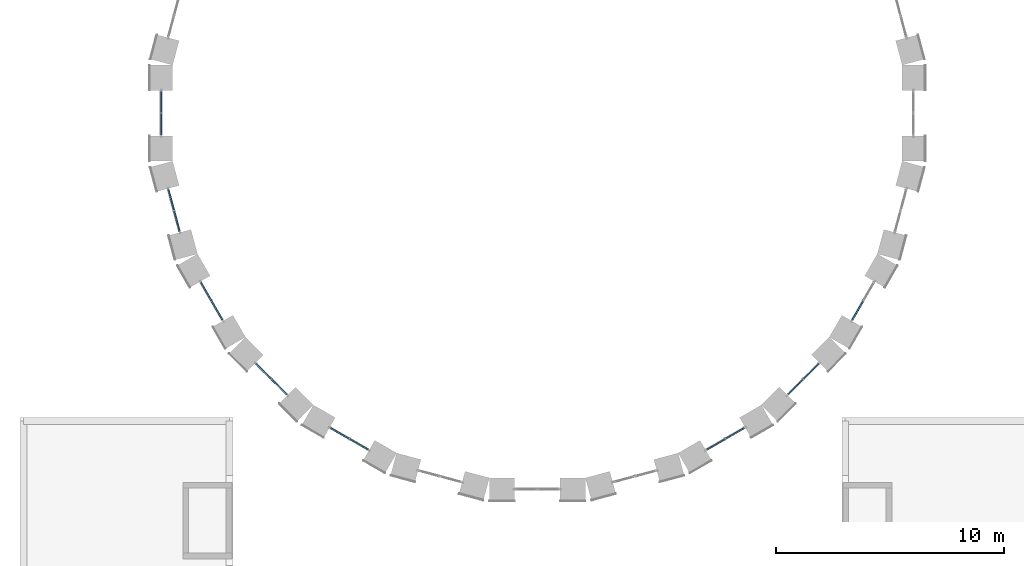
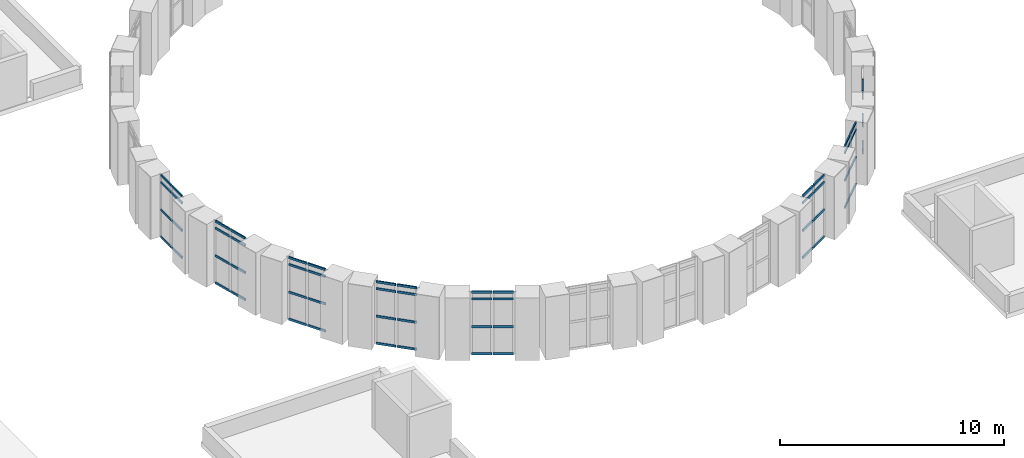
# One storey, part 15 of 42: 60 members, 8 elements without a shape of their own.
"""IFC4 building model written with IfcOpenShell, lengths in metres."""

from ifc_helpers import new_model, si_unit, direction, frame, origin, origin_2d, place, context, subcontext, project, spatial, rectangle, extrude, material, layer, layer_set, material_profile, profile_set, type_object, element, aggregate, save


model = new_model("IFC4")

# Units and contexts
model_context = context("Model", 3, precision=1e-05, world=origin(), true_north=direction((0.0, 1.0)))
body_context = subcontext(model_context, "Body", "Model", "MODEL_VIEW")
ifc_project = project(units=[si_unit("LENGTHUNIT", "METRE"), si_unit("AREAUNIT", "SQUARE_METRE"), si_unit("VOLUMEUNIT", "CUBIC_METRE"), si_unit("PLANEANGLEUNIT", "RADIAN"), si_unit("MASSUNIT", "GRAM", prefix="KILO")], contexts=[model_context])

# Site, building, storey
site_placement = place(None, origin())
site = spatial("IfcSite", under=ifc_project, at=site_placement, CompositionType="ELEMENT")
building_placement = place(site_placement, origin())
building = spatial("IfcBuilding", under=site, at=building_placement, Name="Golden Quay Civic Hall", CompositionType="ELEMENT")
storey_placement = place(building_placement, frame((0.0, 0.0, 22.800048828125)))
storey = spatial("IfcBuildingStorey", under=building, at=storey_placement, Name="L05", CompositionType="ELEMENT", Elevation=22.800048828125)

# Curtain wall, members
ifc_material_1 = material(Name="Glass, laminated double glazed", Category="glass")
ifc_layer = layer(ifc_material_1, 0.199951171875)
ifc_layer_set = layer_set([ifc_layer], Name="Glazed drum clerestory curtain wall")
curtain_wall_type = type_object("IfcCurtainWallType", Name="Glazed drum clerestory curtain wall", PredefinedType="NOTDEFINED", material=ifc_layer_set)
curtain_wall_1_placement = place(storey_placement, origin())
curtain_wall_1 = element("IfcCurtainWall", 1, at=curtain_wall_1_placement, inside=storey, type_object=curtain_wall_type, Name="Clerestory curtain wall 12", PredefinedType="NOTDEFINED")
ifc_material_2 = material(Name="Aluminium, anodised", Category="aluminium")
ifc_material_profile = material_profile(ifc_material_2, rectangle(XDim=0.06005859375, YDim=0.1201171875, at=origin_2d()), Name="Aluminium 60 x 120")
ifc_profile_set = profile_set([ifc_material_profile], Name="Aluminium, anodised")
member_type = type_object("IfcMemberType", Name="Aluminium transom 60 x 120", PredefinedType="USERDEFINED", material=ifc_profile_set)
member_1_placement = place(storey_placement, frame((69.0, 86.43994140625, 0.329833984375), z_axis=(0.0, -1.0, 0.0), x_axis=(1.0, 0.0, 0.0)))
member_1 = element("IfcMember", 2, at=member_1_placement, type_object=member_type, Name="CW5 transom 1.1", ObjectType="TRANSOM", PredefinedType="USERDEFINED", context=body_context, shape_type="SweptSolid", body=[
    extrude(rectangle(XDim=0.06005859375, YDim=0.1201171875, at=origin_2d()), origin(), (0.0, 0.0, 1.0), 0.909912109375),
])
member_2_placement = place(storey_placement, frame((69.0, 86.43994140625, 1.800048828125), z_axis=(0.0, -1.0, 0.0), x_axis=(1.0, 0.0, 0.0)))
member_2 = element("IfcMember", 3, at=member_2_placement, type_object=member_type, Name="CW5 transom 1.2", ObjectType="TRANSOM", PredefinedType="USERDEFINED", context=body_context, shape_type="SweptSolid", body=[
    extrude(rectangle(XDim=0.06005859375, YDim=0.1201171875, at=origin_2d()), origin(), (0.0, 0.0, 1.0), 0.909912109375),
])
member_3_placement = place(storey_placement, frame((69.0, 86.43994140625, 3.300048828125), z_axis=(0.0, -1.0, 0.0), x_axis=(1.0, 0.0, 0.0)))
member_3 = element("IfcMember", 4, at=member_3_placement, type_object=member_type, Name="CW5 transom 1.3", ObjectType="TRANSOM", PredefinedType="USERDEFINED", context=body_context, shape_type="SweptSolid", body=[
    extrude(rectangle(XDim=0.06005859375, YDim=0.1201171875, at=origin_2d()), origin(), (0.0, 0.0, 1.0), 0.909912109375),
])
member_4_placement = place(storey_placement, frame((69.0, 86.43994140625, 3.669921875), z_axis=(0.0, -1.0, 0.0), x_axis=(1.0, 0.0, 0.0)))
member_4 = element("IfcMember", 5, at=member_4_placement, type_object=member_type, Name="CW5 transom 1.4", ObjectType="TRANSOM", PredefinedType="USERDEFINED", context=body_context, shape_type="SweptSolid", body=[
    extrude(rectangle(XDim=0.06005859375, YDim=0.1201171875, at=origin_2d()), origin(), (0.0, 0.0, 1.0), 0.909912109375),
])
member_5_placement = place(storey_placement, frame((69.0, 85.469970703125, 0.329833984375), z_axis=(0.0, -1.0, 0.0), x_axis=(1.0, 0.0, 0.0)))
member_5 = element("IfcMember", 6, at=member_5_placement, type_object=member_type, Name="CW5 transom 2.1", ObjectType="TRANSOM", PredefinedType="USERDEFINED", context=body_context, shape_type="SweptSolid", body=[
    extrude(rectangle(XDim=0.06005859375, YDim=0.1201171875, at=origin_2d()), origin(), (0.0, 0.0, 1.0), 0.909912109375),
])
member_6_placement = place(storey_placement, frame((69.0, 85.469970703125, 1.800048828125), z_axis=(0.0, -1.0, 0.0), x_axis=(1.0, 0.0, 0.0)))
member_6 = element("IfcMember", 7, at=member_6_placement, type_object=member_type, Name="CW5 transom 2.2", ObjectType="TRANSOM", PredefinedType="USERDEFINED", context=body_context, shape_type="SweptSolid", body=[
    extrude(rectangle(XDim=0.06005859375, YDim=0.1201171875, at=origin_2d()), origin(), (0.0, 0.0, 1.0), 0.909912109375),
])
member_7_placement = place(storey_placement, frame((69.0, 85.469970703125, 3.300048828125), z_axis=(0.0, -1.0, 0.0), x_axis=(1.0, 0.0, 0.0)))
member_7 = element("IfcMember", 8, at=member_7_placement, type_object=member_type, Name="CW5 transom 2.3", ObjectType="TRANSOM", PredefinedType="USERDEFINED", context=body_context, shape_type="SweptSolid", body=[
    extrude(rectangle(XDim=0.06005859375, YDim=0.1201171875, at=origin_2d()), origin(), (0.0, 0.0, 1.0), 0.909912109375),
])
member_8_placement = place(storey_placement, frame((69.0, 85.469970703125, 3.669921875), z_axis=(0.0, -1.0, 0.0), x_axis=(1.0, 0.0, 0.0)))
member_8 = element("IfcMember", 9, at=member_8_placement, type_object=member_type, Name="CW5 transom 2.4", ObjectType="TRANSOM", PredefinedType="USERDEFINED", context=body_context, shape_type="SweptSolid", body=[
    extrude(rectangle(XDim=0.06005859375, YDim=0.1201171875, at=origin_2d()), origin(), (0.0, 0.0, 1.0), 0.909912109375),
])
aggregate(curtain_wall_1, [member_1, member_2, member_3, member_4, member_5, member_6, member_7, member_8])

curtain_wall_2_placement = place(storey_placement, origin())
curtain_wall_2 = element("IfcCurtainWall", 10, at=curtain_wall_2_placement, inside=storey, type_object=curtain_wall_type, Name="Clerestory curtain wall 13", PredefinedType="NOTDEFINED")
member_9_placement = place(storey_placement, frame((69.31884765625, 82.137451171875, 0.329833984375), z_axis=(0.258914897967, -0.965900137494, 0.0), x_axis=(0.965900137494, 0.258914897967, 0.0)))
member_9 = element("IfcMember", 11, at=member_9_placement, type_object=member_type, Name="CW5 transom 1.1", ObjectType="TRANSOM", PredefinedType="USERDEFINED", context=body_context, shape_type="SweptSolid", body=[
    extrude(rectangle(XDim=0.06005859375, YDim=0.1201171875, at=origin_2d()), origin(), (0.0, 0.0, 1.0), 0.909912109375),
])
member_10_placement = place(storey_placement, frame((69.31884765625, 82.137451171875, 1.800048828125), z_axis=(0.258914897967, -0.965900137494, 0.0), x_axis=(0.965900137494, 0.258914897967, 0.0)))
member_10 = element("IfcMember", 12, at=member_10_placement, type_object=member_type, Name="CW5 transom 1.2", ObjectType="TRANSOM", PredefinedType="USERDEFINED", context=body_context, shape_type="SweptSolid", body=[
    extrude(rectangle(XDim=0.06005859375, YDim=0.1201171875, at=origin_2d()), origin(), (0.0, 0.0, 1.0), 0.909912109375),
])
member_11_placement = place(storey_placement, frame((69.31884765625, 82.137451171875, 3.300048828125), z_axis=(0.258914897967, -0.965900137494, 0.0), x_axis=(0.965900137494, 0.258914897967, 0.0)))
member_11 = element("IfcMember", 13, at=member_11_placement, type_object=member_type, Name="CW5 transom 1.3", ObjectType="TRANSOM", PredefinedType="USERDEFINED", context=body_context, shape_type="SweptSolid", body=[
    extrude(rectangle(XDim=0.06005859375, YDim=0.1201171875, at=origin_2d()), origin(), (0.0, 0.0, 1.0), 0.909912109375),
])
member_12_placement = place(storey_placement, frame((69.31884765625, 82.137451171875, 3.669921875), z_axis=(0.258914897967, -0.965900137494, 0.0), x_axis=(0.965900137494, 0.258914897967, 0.0)))
member_12 = element("IfcMember", 14, at=member_12_placement, type_object=member_type, Name="CW5 transom 1.4", ObjectType="TRANSOM", PredefinedType="USERDEFINED", context=body_context, shape_type="SweptSolid", body=[
    extrude(rectangle(XDim=0.06005859375, YDim=0.1201171875, at=origin_2d()), origin(), (0.0, 0.0, 1.0), 0.909912109375),
])
member_13_placement = place(storey_placement, frame((69.570068359375, 81.200439453125, 0.329833984375), z_axis=(0.258664552677, -0.965967209168, 0.0), x_axis=(0.965967209168, 0.258664552677, 0.0)))
member_13 = element("IfcMember", 15, at=member_13_placement, type_object=member_type, Name="CW5 transom 2.1", ObjectType="TRANSOM", PredefinedType="USERDEFINED", context=body_context, shape_type="SweptSolid", body=[
    extrude(rectangle(XDim=0.06005859375, YDim=0.1201171875, at=origin_2d()), origin(), (0.0, 0.0, 1.0), 0.909912109375),
])
member_14_placement = place(storey_placement, frame((69.570068359375, 81.200439453125, 1.800048828125), z_axis=(0.258664552677, -0.965967209168, 0.0), x_axis=(0.965967209168, 0.258664552677, 0.0)))
member_14 = element("IfcMember", 16, at=member_14_placement, type_object=member_type, Name="CW5 transom 2.2", ObjectType="TRANSOM", PredefinedType="USERDEFINED", context=body_context, shape_type="SweptSolid", body=[
    extrude(rectangle(XDim=0.06005859375, YDim=0.1201171875, at=origin_2d()), origin(), (0.0, 0.0, 1.0), 0.909912109375),
])
member_15_placement = place(storey_placement, frame((69.570068359375, 81.200439453125, 3.300048828125), z_axis=(0.258664552677, -0.965967209168, 0.0), x_axis=(0.965967209168, 0.258664552677, 0.0)))
member_15 = element("IfcMember", 17, at=member_15_placement, type_object=member_type, Name="CW5 transom 2.3", ObjectType="TRANSOM", PredefinedType="USERDEFINED", context=body_context, shape_type="SweptSolid", body=[
    extrude(rectangle(XDim=0.06005859375, YDim=0.1201171875, at=origin_2d()), origin(), (0.0, 0.0, 1.0), 0.909912109375),
])
member_16_placement = place(storey_placement, frame((69.570068359375, 81.200439453125, 3.669921875), z_axis=(0.258664552677, -0.965967209168, 0.0), x_axis=(0.965967209168, 0.258664552677, 0.0)))
member_16 = element("IfcMember", 18, at=member_16_placement, type_object=member_type, Name="CW5 transom 2.4", ObjectType="TRANSOM", PredefinedType="USERDEFINED", context=body_context, shape_type="SweptSolid", body=[
    extrude(rectangle(XDim=0.06005859375, YDim=0.1201171875, at=origin_2d()), origin(), (0.0, 0.0, 1.0), 0.909912109375),
])
aggregate(curtain_wall_2, [member_9, member_10, member_11, member_12, member_13, member_14, member_15, member_16])

curtain_wall_3_placement = place(storey_placement, origin())
curtain_wall_3 = element("IfcCurtainWall", 19, at=curtain_wall_3_placement, inside=storey, type_object=curtain_wall_type, Name="Clerestory curtain wall 14", PredefinedType="NOTDEFINED")
member_17_placement = place(storey_placement, frame((70.74072265625, 78.06396484375, 0.329833984375), z_axis=(0.499861813449, -0.866105171129, 0.0), x_axis=(0.866105171129, 0.499861813449, 0.0)))
member_17 = element("IfcMember", 20, at=member_17_placement, type_object=member_type, Name="CW5 transom 1.1", ObjectType="TRANSOM", PredefinedType="USERDEFINED", context=body_context, shape_type="SweptSolid", body=[
    extrude(rectangle(XDim=0.06005859375, YDim=0.1201171875, at=origin_2d()), origin(), (0.0, 0.0, 1.0), 0.909912109375),
])
member_18_placement = place(storey_placement, frame((70.74072265625, 78.06396484375, 1.800048828125), z_axis=(0.499861813449, -0.866105171129, 0.0), x_axis=(0.866105171129, 0.499861813449, 0.0)))
member_18 = element("IfcMember", 21, at=member_18_placement, type_object=member_type, Name="CW5 transom 1.2", ObjectType="TRANSOM", PredefinedType="USERDEFINED", context=body_context, shape_type="SweptSolid", body=[
    extrude(rectangle(XDim=0.06005859375, YDim=0.1201171875, at=origin_2d()), origin(), (0.0, 0.0, 1.0), 0.909912109375),
])
member_19_placement = place(storey_placement, frame((70.74072265625, 78.06396484375, 3.300048828125), z_axis=(0.499861813449, -0.866105171129, 0.0), x_axis=(0.866105171129, 0.499861813449, 0.0)))
member_19 = element("IfcMember", 22, at=member_19_placement, type_object=member_type, Name="CW5 transom 1.3", ObjectType="TRANSOM", PredefinedType="USERDEFINED", context=body_context, shape_type="SweptSolid", body=[
    extrude(rectangle(XDim=0.06005859375, YDim=0.1201171875, at=origin_2d()), origin(), (0.0, 0.0, 1.0), 0.909912109375),
])
member_20_placement = place(storey_placement, frame((70.74072265625, 78.06396484375, 3.669921875), z_axis=(0.499861813449, -0.866105171129, 0.0), x_axis=(0.866105171129, 0.499861813449, 0.0)))
member_20 = element("IfcMember", 23, at=member_20_placement, type_object=member_type, Name="CW5 transom 1.4", ObjectType="TRANSOM", PredefinedType="USERDEFINED", context=body_context, shape_type="SweptSolid", body=[
    extrude(rectangle(XDim=0.06005859375, YDim=0.1201171875, at=origin_2d()), origin(), (0.0, 0.0, 1.0), 0.909912109375),
])
member_21_placement = place(storey_placement, frame((71.2255859375, 77.22412109375, 0.329833984375), z_axis=(0.500063042646, -0.865989003036, 0.0), x_axis=(0.865989003036, 0.500063042646, 0.0)))
member_21 = element("IfcMember", 24, at=member_21_placement, type_object=member_type, Name="CW5 transom 2.1", ObjectType="TRANSOM", PredefinedType="USERDEFINED", context=body_context, shape_type="SweptSolid", body=[
    extrude(rectangle(XDim=0.06005859375, YDim=0.1201171875, at=origin_2d()), origin(), (0.0, 0.0, 1.0), 0.91015625),
])
member_22_placement = place(storey_placement, frame((71.2255859375, 77.22412109375, 1.800048828125), z_axis=(0.500063042646, -0.865989003036, 0.0), x_axis=(0.865989003036, 0.500063042646, 0.0)))
member_22 = element("IfcMember", 25, at=member_22_placement, type_object=member_type, Name="CW5 transom 2.2", ObjectType="TRANSOM", PredefinedType="USERDEFINED", context=body_context, shape_type="SweptSolid", body=[
    extrude(rectangle(XDim=0.06005859375, YDim=0.1201171875, at=origin_2d()), origin(), (0.0, 0.0, 1.0), 0.91015625),
])
member_23_placement = place(storey_placement, frame((71.2255859375, 77.22412109375, 3.300048828125), z_axis=(0.500063042646, -0.865989003036, 0.0), x_axis=(0.865989003036, 0.500063042646, 0.0)))
member_23 = element("IfcMember", 26, at=member_23_placement, type_object=member_type, Name="CW5 transom 2.3", ObjectType="TRANSOM", PredefinedType="USERDEFINED", context=body_context, shape_type="SweptSolid", body=[
    extrude(rectangle(XDim=0.06005859375, YDim=0.1201171875, at=origin_2d()), origin(), (0.0, 0.0, 1.0), 0.91015625),
])
member_24_placement = place(storey_placement, frame((71.2255859375, 77.22412109375, 3.669921875), z_axis=(0.500063042646, -0.865989003036, 0.0), x_axis=(0.865989003036, 0.500063042646, 0.0)))
member_24 = element("IfcMember", 27, at=member_24_placement, type_object=member_type, Name="CW5 transom 2.4", ObjectType="TRANSOM", PredefinedType="USERDEFINED", context=body_context, shape_type="SweptSolid", body=[
    extrude(rectangle(XDim=0.06005859375, YDim=0.1201171875, at=origin_2d()), origin(), (0.0, 0.0, 1.0), 0.91015625),
])
aggregate(curtain_wall_3, [member_17, member_18, member_19, member_20, member_21, member_22, member_23, member_24])

curtain_wall_4_placement = place(storey_placement, origin())
curtain_wall_4 = element("IfcCurtainWall", 28, at=curtain_wall_4_placement, inside=storey, type_object=curtain_wall_type, Name="Clerestory curtain wall 15", PredefinedType="NOTDEFINED")
member_25_placement = place(storey_placement, frame((73.16796875, 74.497314453125, 0.329833984375), z_axis=(0.707240918863, -0.706972618059, 0.0), x_axis=(0.706972618059, 0.707240918863, 0.0)))
member_25 = element("IfcMember", 29, at=member_25_placement, type_object=member_type, Name="CW5 transom 1.1", ObjectType="TRANSOM", PredefinedType="USERDEFINED", context=body_context, shape_type="SweptSolid", body=[
    extrude(rectangle(XDim=0.06005859375, YDim=0.1201171875, at=origin_2d()), origin(), (0.0, 0.0, 1.0), 0.909912109375),
])
member_26_placement = place(storey_placement, frame((73.16796875, 74.497314453125, 1.800048828125), z_axis=(0.707240918863, -0.706972618059, 0.0), x_axis=(0.706972618059, 0.707240918863, 0.0)))
member_26 = element("IfcMember", 30, at=member_26_placement, type_object=member_type, Name="CW5 transom 1.2", ObjectType="TRANSOM", PredefinedType="USERDEFINED", context=body_context, shape_type="SweptSolid", body=[
    extrude(rectangle(XDim=0.06005859375, YDim=0.1201171875, at=origin_2d()), origin(), (0.0, 0.0, 1.0), 0.909912109375),
])
member_27_placement = place(storey_placement, frame((73.16796875, 74.497314453125, 3.300048828125), z_axis=(0.707240918863, -0.706972618059, 0.0), x_axis=(0.706972618059, 0.707240918863, 0.0)))
member_27 = element("IfcMember", 31, at=member_27_placement, type_object=member_type, Name="CW5 transom 1.3", ObjectType="TRANSOM", PredefinedType="USERDEFINED", context=body_context, shape_type="SweptSolid", body=[
    extrude(rectangle(XDim=0.06005859375, YDim=0.1201171875, at=origin_2d()), origin(), (0.0, 0.0, 1.0), 0.909912109375),
])
member_28_placement = place(storey_placement, frame((73.16796875, 74.497314453125, 3.669921875), z_axis=(0.707240918863, -0.706972618059, 0.0), x_axis=(0.706972618059, 0.707240918863, 0.0)))
member_28 = element("IfcMember", 32, at=member_28_placement, type_object=member_type, Name="CW5 transom 1.4", ObjectType="TRANSOM", PredefinedType="USERDEFINED", context=body_context, shape_type="SweptSolid", body=[
    extrude(rectangle(XDim=0.06005859375, YDim=0.1201171875, at=origin_2d()), origin(), (0.0, 0.0, 1.0), 0.909912109375),
])
member_29_placement = place(storey_placement, frame((73.85400390625, 73.8115234375, 0.329833984375), z_axis=(0.706972618059, -0.707240918863, 0.0), x_axis=(0.707240918863, 0.706972618059, 0.0)))
member_29 = element("IfcMember", 33, at=member_29_placement, type_object=member_type, Name="CW5 transom 2.1", ObjectType="TRANSOM", PredefinedType="USERDEFINED", context=body_context, shape_type="SweptSolid", body=[
    extrude(rectangle(XDim=0.06005859375, YDim=0.1201171875, at=origin_2d()), origin(), (0.0, 0.0, 1.0), 0.909912109375),
])
member_30_placement = place(storey_placement, frame((73.85400390625, 73.8115234375, 1.800048828125), z_axis=(0.706972618059, -0.707240918863, 0.0), x_axis=(0.707240918863, 0.706972618059, 0.0)))
member_30 = element("IfcMember", 34, at=member_30_placement, type_object=member_type, Name="CW5 transom 2.2", ObjectType="TRANSOM", PredefinedType="USERDEFINED", context=body_context, shape_type="SweptSolid", body=[
    extrude(rectangle(XDim=0.06005859375, YDim=0.1201171875, at=origin_2d()), origin(), (0.0, 0.0, 1.0), 0.909912109375),
])
member_31_placement = place(storey_placement, frame((73.85400390625, 73.8115234375, 3.300048828125), z_axis=(0.706972618059, -0.707240918863, 0.0), x_axis=(0.707240918863, 0.706972618059, 0.0)))
member_31 = element("IfcMember", 35, at=member_31_placement, type_object=member_type, Name="CW5 transom 2.3", ObjectType="TRANSOM", PredefinedType="USERDEFINED", context=body_context, shape_type="SweptSolid", body=[
    extrude(rectangle(XDim=0.06005859375, YDim=0.1201171875, at=origin_2d()), origin(), (0.0, 0.0, 1.0), 0.909912109375),
])
member_32_placement = place(storey_placement, frame((73.85400390625, 73.8115234375, 3.669921875), z_axis=(0.706972618059, -0.707240918863, 0.0), x_axis=(0.707240918863, 0.706972618059, 0.0)))
member_32 = element("IfcMember", 36, at=member_32_placement, type_object=member_type, Name="CW5 transom 2.4", ObjectType="TRANSOM", PredefinedType="USERDEFINED", context=body_context, shape_type="SweptSolid", body=[
    extrude(rectangle(XDim=0.06005859375, YDim=0.1201171875, at=origin_2d()), origin(), (0.0, 0.0, 1.0), 0.909912109375),
])
aggregate(curtain_wall_4, [member_25, member_26, member_27, member_28, member_29, member_30, member_31, member_32])

curtain_wall_5_placement = place(storey_placement, origin())
curtain_wall_5 = element("IfcCurtainWall", 37, at=curtain_wall_5_placement, inside=storey, type_object=curtain_wall_type, Name="Clerestory curtain wall 16", PredefinedType="NOTDEFINED")
member_33_placement = place(storey_placement, frame((76.43603515625, 71.6806640625, 0.329833984375), z_axis=(0.865989003036, -0.500063042646, 0.0), x_axis=(0.500063042646, 0.865989003036, 0.0)))
member_33 = element("IfcMember", 38, at=member_33_placement, type_object=member_type, Name="CW5 transom 1.1", ObjectType="TRANSOM", PredefinedType="USERDEFINED", context=body_context, shape_type="SweptSolid", body=[
    extrude(rectangle(XDim=0.06005859375, YDim=0.1201171875, at=origin_2d()), origin(), (0.0, 0.0, 1.0), 0.91015625),
])
member_34_placement = place(storey_placement, frame((76.43603515625, 71.6806640625, 1.800048828125), z_axis=(0.865989003036, -0.500063042646, 0.0), x_axis=(0.500063042646, 0.865989003036, 0.0)))
member_34 = element("IfcMember", 39, at=member_34_placement, type_object=member_type, Name="CW5 transom 1.2", ObjectType="TRANSOM", PredefinedType="USERDEFINED", context=body_context, shape_type="SweptSolid", body=[
    extrude(rectangle(XDim=0.06005859375, YDim=0.1201171875, at=origin_2d()), origin(), (0.0, 0.0, 1.0), 0.91015625),
])
member_35_placement = place(storey_placement, frame((76.43603515625, 71.6806640625, 3.300048828125), z_axis=(0.865989003036, -0.500063042646, 0.0), x_axis=(0.500063042646, 0.865989003036, 0.0)))
member_35 = element("IfcMember", 40, at=member_35_placement, type_object=member_type, Name="CW5 transom 1.3", ObjectType="TRANSOM", PredefinedType="USERDEFINED", context=body_context, shape_type="SweptSolid", body=[
    extrude(rectangle(XDim=0.06005859375, YDim=0.1201171875, at=origin_2d()), origin(), (0.0, 0.0, 1.0), 0.91015625),
])
member_36_placement = place(storey_placement, frame((76.43603515625, 71.6806640625, 3.669921875), z_axis=(0.865989003036, -0.500063042646, 0.0), x_axis=(0.500063042646, 0.865989003036, 0.0)))
member_36 = element("IfcMember", 41, at=member_36_placement, type_object=member_type, Name="CW5 transom 1.4", ObjectType="TRANSOM", PredefinedType="USERDEFINED", context=body_context, shape_type="SweptSolid", body=[
    extrude(rectangle(XDim=0.06005859375, YDim=0.1201171875, at=origin_2d()), origin(), (0.0, 0.0, 1.0), 0.91015625),
])
member_37_placement = place(storey_placement, frame((77.27587890625, 71.195556640625, 0.329833984375), z_axis=(0.866105171129, -0.499861813449, 0.0), x_axis=(0.499861813449, 0.866105171129, 0.0)))
member_37 = element("IfcMember", 42, at=member_37_placement, type_object=member_type, Name="CW5 transom 2.1", ObjectType="TRANSOM", PredefinedType="USERDEFINED", context=body_context, shape_type="SweptSolid", body=[
    extrude(rectangle(XDim=0.06005859375, YDim=0.1201171875, at=origin_2d()), origin(), (0.0, 0.0, 1.0), 0.909912109375),
])
member_38_placement = place(storey_placement, frame((77.27587890625, 71.195556640625, 1.800048828125), z_axis=(0.866105171129, -0.499861813449, 0.0), x_axis=(0.499861813449, 0.866105171129, 0.0)))
member_38 = element("IfcMember", 43, at=member_38_placement, type_object=member_type, Name="CW5 transom 2.2", ObjectType="TRANSOM", PredefinedType="USERDEFINED", context=body_context, shape_type="SweptSolid", body=[
    extrude(rectangle(XDim=0.06005859375, YDim=0.1201171875, at=origin_2d()), origin(), (0.0, 0.0, 1.0), 0.909912109375),
])
member_39_placement = place(storey_placement, frame((77.27587890625, 71.195556640625, 3.300048828125), z_axis=(0.866105171129, -0.499861813449, 0.0), x_axis=(0.499861813449, 0.866105171129, 0.0)))
member_39 = element("IfcMember", 44, at=member_39_placement, type_object=member_type, Name="CW5 transom 2.3", ObjectType="TRANSOM", PredefinedType="USERDEFINED", context=body_context, shape_type="SweptSolid", body=[
    extrude(rectangle(XDim=0.06005859375, YDim=0.1201171875, at=origin_2d()), origin(), (0.0, 0.0, 1.0), 0.909912109375),
])
member_40_placement = place(storey_placement, frame((77.27587890625, 71.195556640625, 3.669921875), z_axis=(0.866105171129, -0.499861813449, 0.0), x_axis=(0.499861813449, 0.866105171129, 0.0)))
member_40 = element("IfcMember", 45, at=member_40_placement, type_object=member_type, Name="CW5 transom 2.4", ObjectType="TRANSOM", PredefinedType="USERDEFINED", context=body_context, shape_type="SweptSolid", body=[
    extrude(rectangle(XDim=0.06005859375, YDim=0.1201171875, at=origin_2d()), origin(), (0.0, 0.0, 1.0), 0.909912109375),
])
aggregate(curtain_wall_5, [member_33, member_34, member_35, member_36, member_37, member_38, member_39, member_40])

curtain_wall_6_placement = place(storey_placement, origin())
curtain_wall_6 = element("IfcCurtainWall", 46, at=curtain_wall_6_placement, inside=storey, type_object=curtain_wall_type, Name="Clerestory curtain wall 20", PredefinedType="NOTDEFINED")
member_41_placement = place(storey_placement, frame((92.93603515625, 70.74072265625, 0.329833984375), z_axis=(0.866105171129, 0.499861813449, 0.0), x_axis=(-0.499861813449, 0.866105171129, 0.0)))
member_41 = element("IfcMember", 47, at=member_41_placement, type_object=member_type, Name="CW5 transom 1.1", ObjectType="TRANSOM", PredefinedType="USERDEFINED", context=body_context, shape_type="SweptSolid", body=[
    extrude(rectangle(XDim=0.06005859375, YDim=0.1201171875, at=origin_2d()), origin(), (0.0, 0.0, 1.0), 0.909912109375),
])
member_42_placement = place(storey_placement, frame((92.93603515625, 70.74072265625, 1.800048828125), z_axis=(0.866105171129, 0.499861813449, 0.0), x_axis=(-0.499861813449, 0.866105171129, 0.0)))
member_42 = element("IfcMember", 48, at=member_42_placement, type_object=member_type, Name="CW5 transom 1.2", ObjectType="TRANSOM", PredefinedType="USERDEFINED", context=body_context, shape_type="SweptSolid", body=[
    extrude(rectangle(XDim=0.06005859375, YDim=0.1201171875, at=origin_2d()), origin(), (0.0, 0.0, 1.0), 0.909912109375),
])
member_43_placement = place(storey_placement, frame((92.93603515625, 70.74072265625, 3.300048828125), z_axis=(0.866105171129, 0.499861813449, 0.0), x_axis=(-0.499861813449, 0.866105171129, 0.0)))
member_43 = element("IfcMember", 49, at=member_43_placement, type_object=member_type, Name="CW5 transom 1.3", ObjectType="TRANSOM", PredefinedType="USERDEFINED", context=body_context, shape_type="SweptSolid", body=[
    extrude(rectangle(XDim=0.06005859375, YDim=0.1201171875, at=origin_2d()), origin(), (0.0, 0.0, 1.0), 0.909912109375),
])
member_44_placement = place(storey_placement, frame((92.93603515625, 70.74072265625, 3.669921875), z_axis=(0.866105171129, 0.499861813449, 0.0), x_axis=(-0.499861813449, 0.866105171129, 0.0)))
member_44 = element("IfcMember", 50, at=member_44_placement, type_object=member_type, Name="CW5 transom 1.4", ObjectType="TRANSOM", PredefinedType="USERDEFINED", context=body_context, shape_type="SweptSolid", body=[
    extrude(rectangle(XDim=0.06005859375, YDim=0.1201171875, at=origin_2d()), origin(), (0.0, 0.0, 1.0), 0.909912109375),
])
member_45_placement = place(storey_placement, frame((93.77587890625, 71.2255859375, 0.329833984375), z_axis=(0.865989003036, 0.500063042646, 0.0), x_axis=(-0.500063042646, 0.865989003036, 0.0)))
member_45 = element("IfcMember", 51, at=member_45_placement, type_object=member_type, Name="CW5 transom 2.1", ObjectType="TRANSOM", PredefinedType="USERDEFINED", context=body_context, shape_type="SweptSolid", body=[
    extrude(rectangle(XDim=0.06005859375, YDim=0.1201171875, at=origin_2d()), origin(), (0.0, 0.0, 1.0), 0.91015625),
])
member_46_placement = place(storey_placement, frame((93.77587890625, 71.2255859375, 1.800048828125), z_axis=(0.865989003036, 0.500063042646, 0.0), x_axis=(-0.500063042646, 0.865989003036, 0.0)))
member_46 = element("IfcMember", 52, at=member_46_placement, type_object=member_type, Name="CW5 transom 2.2", ObjectType="TRANSOM", PredefinedType="USERDEFINED", context=body_context, shape_type="SweptSolid", body=[
    extrude(rectangle(XDim=0.06005859375, YDim=0.1201171875, at=origin_2d()), origin(), (0.0, 0.0, 1.0), 0.91015625),
])
member_47_placement = place(storey_placement, frame((93.77587890625, 71.2255859375, 3.300048828125), z_axis=(0.865989003036, 0.500063042646, 0.0), x_axis=(-0.500063042646, 0.865989003036, 0.0)))
member_47 = element("IfcMember", 53, at=member_47_placement, type_object=member_type, Name="CW5 transom 2.3", ObjectType="TRANSOM", PredefinedType="USERDEFINED", context=body_context, shape_type="SweptSolid", body=[
    extrude(rectangle(XDim=0.06005859375, YDim=0.1201171875, at=origin_2d()), origin(), (0.0, 0.0, 1.0), 0.91015625),
])
member_48_placement = place(storey_placement, frame((93.77587890625, 71.2255859375, 3.669921875), z_axis=(0.865989003036, 0.500063042646, 0.0), x_axis=(-0.500063042646, 0.865989003036, 0.0)))
member_48 = element("IfcMember", 54, at=member_48_placement, type_object=member_type, Name="CW5 transom 2.4", ObjectType="TRANSOM", PredefinedType="USERDEFINED", context=body_context, shape_type="SweptSolid", body=[
    extrude(rectangle(XDim=0.06005859375, YDim=0.1201171875, at=origin_2d()), origin(), (0.0, 0.0, 1.0), 0.91015625),
])
aggregate(curtain_wall_6, [member_41, member_42, member_43, member_44, member_45, member_46, member_47, member_48])

curtain_wall_7_placement = place(storey_placement, origin())
curtain_wall_7 = element("IfcCurtainWall", 55, at=curtain_wall_7_placement, inside=storey, type_object=curtain_wall_type, Name="Clerestory curtain wall 21", PredefinedType="NOTDEFINED")
member_49_placement = place(storey_placement, frame((96.502685546875, 73.16796875, 0.329833984375), z_axis=(0.706972618059, 0.707240918863, 0.0), x_axis=(-0.707240918863, 0.706972618059, 0.0)))
member_49 = element("IfcMember", 56, at=member_49_placement, type_object=member_type, Name="CW5 transom 1.1", ObjectType="TRANSOM", PredefinedType="USERDEFINED", context=body_context, shape_type="SweptSolid", body=[
    extrude(rectangle(XDim=0.06005859375, YDim=0.1201171875, at=origin_2d()), origin(), (0.0, 0.0, 1.0), 0.909912109375),
])
member_50_placement = place(storey_placement, frame((96.502685546875, 73.16796875, 1.800048828125), z_axis=(0.706972618059, 0.707240918863, 0.0), x_axis=(-0.707240918863, 0.706972618059, 0.0)))
member_50 = element("IfcMember", 57, at=member_50_placement, type_object=member_type, Name="CW5 transom 1.2", ObjectType="TRANSOM", PredefinedType="USERDEFINED", context=body_context, shape_type="SweptSolid", body=[
    extrude(rectangle(XDim=0.06005859375, YDim=0.1201171875, at=origin_2d()), origin(), (0.0, 0.0, 1.0), 0.909912109375),
])
member_51_placement = place(storey_placement, frame((96.502685546875, 73.16796875, 3.300048828125), z_axis=(0.706972618059, 0.707240918863, 0.0), x_axis=(-0.707240918863, 0.706972618059, 0.0)))
member_51 = element("IfcMember", 58, at=member_51_placement, type_object=member_type, Name="CW5 transom 1.3", ObjectType="TRANSOM", PredefinedType="USERDEFINED", context=body_context, shape_type="SweptSolid", body=[
    extrude(rectangle(XDim=0.06005859375, YDim=0.1201171875, at=origin_2d()), origin(), (0.0, 0.0, 1.0), 0.909912109375),
])
member_52_placement = place(storey_placement, frame((96.502685546875, 73.16796875, 3.669921875), z_axis=(0.706972618059, 0.707240918863, 0.0), x_axis=(-0.707240918863, 0.706972618059, 0.0)))
member_52 = element("IfcMember", 59, at=member_52_placement, type_object=member_type, Name="CW5 transom 1.4", ObjectType="TRANSOM", PredefinedType="USERDEFINED", context=body_context, shape_type="SweptSolid", body=[
    extrude(rectangle(XDim=0.06005859375, YDim=0.1201171875, at=origin_2d()), origin(), (0.0, 0.0, 1.0), 0.909912109375),
])
member_53_placement = place(storey_placement, frame((97.1884765625, 73.85400390625, 0.329833984375), z_axis=(0.707240918863, 0.706972618059, 0.0), x_axis=(-0.706972618059, 0.707240918863, 0.0)))
member_53 = element("IfcMember", 60, at=member_53_placement, type_object=member_type, Name="CW5 transom 2.1", ObjectType="TRANSOM", PredefinedType="USERDEFINED", context=body_context, shape_type="SweptSolid", body=[
    extrude(rectangle(XDim=0.06005859375, YDim=0.1201171875, at=origin_2d()), origin(), (0.0, 0.0, 1.0), 0.909912109375),
])
member_54_placement = place(storey_placement, frame((97.1884765625, 73.85400390625, 1.800048828125), z_axis=(0.707240918863, 0.706972618059, 0.0), x_axis=(-0.706972618059, 0.707240918863, 0.0)))
member_54 = element("IfcMember", 61, at=member_54_placement, type_object=member_type, Name="CW5 transom 2.2", ObjectType="TRANSOM", PredefinedType="USERDEFINED", context=body_context, shape_type="SweptSolid", body=[
    extrude(rectangle(XDim=0.06005859375, YDim=0.1201171875, at=origin_2d()), origin(), (0.0, 0.0, 1.0), 0.909912109375),
])
member_55_placement = place(storey_placement, frame((97.1884765625, 73.85400390625, 3.300048828125), z_axis=(0.707240918863, 0.706972618059, 0.0), x_axis=(-0.706972618059, 0.707240918863, 0.0)))
member_55 = element("IfcMember", 62, at=member_55_placement, type_object=member_type, Name="CW5 transom 2.3", ObjectType="TRANSOM", PredefinedType="USERDEFINED", context=body_context, shape_type="SweptSolid", body=[
    extrude(rectangle(XDim=0.06005859375, YDim=0.1201171875, at=origin_2d()), origin(), (0.0, 0.0, 1.0), 0.909912109375),
])
member_56_placement = place(storey_placement, frame((97.1884765625, 73.85400390625, 3.669921875), z_axis=(0.707240918863, 0.706972618059, 0.0), x_axis=(-0.706972618059, 0.707240918863, 0.0)))
member_56 = element("IfcMember", 63, at=member_56_placement, type_object=member_type, Name="CW5 transom 2.4", ObjectType="TRANSOM", PredefinedType="USERDEFINED", context=body_context, shape_type="SweptSolid", body=[
    extrude(rectangle(XDim=0.06005859375, YDim=0.1201171875, at=origin_2d()), origin(), (0.0, 0.0, 1.0), 0.909912109375),
])
aggregate(curtain_wall_7, [member_49, member_50, member_51, member_52, member_53, member_54, member_55, member_56])

curtain_wall_8_placement = place(storey_placement, origin())
curtain_wall_8 = element("IfcCurtainWall", 64, at=curtain_wall_8_placement, inside=storey, type_object=curtain_wall_type, Name="Clerestory curtain wall 22", PredefinedType="NOTDEFINED")
member_57_placement = place(storey_placement, frame((99.3193359375, 76.43603515625, 0.329833984375), z_axis=(0.500063042646, 0.865989003036, 0.0), x_axis=(-0.865989003036, 0.500063042646, 0.0)))
member_57 = element("IfcMember", 65, at=member_57_placement, type_object=member_type, Name="CW5 transom 1.1", ObjectType="TRANSOM", PredefinedType="USERDEFINED", context=body_context, shape_type="SweptSolid", body=[
    extrude(rectangle(XDim=0.06005859375, YDim=0.1201171875, at=origin_2d()), origin(), (0.0, 0.0, 1.0), 0.91015625),
])
member_58_placement = place(storey_placement, frame((99.3193359375, 76.43603515625, 1.800048828125), z_axis=(0.500063042646, 0.865989003036, 0.0), x_axis=(-0.865989003036, 0.500063042646, 0.0)))
member_58 = element("IfcMember", 66, at=member_58_placement, type_object=member_type, Name="CW5 transom 1.2", ObjectType="TRANSOM", PredefinedType="USERDEFINED", context=body_context, shape_type="SweptSolid", body=[
    extrude(rectangle(XDim=0.06005859375, YDim=0.1201171875, at=origin_2d()), origin(), (0.0, 0.0, 1.0), 0.91015625),
])
member_59_placement = place(storey_placement, frame((99.3193359375, 76.43603515625, 3.300048828125), z_axis=(0.500063042646, 0.865989003036, 0.0), x_axis=(-0.865989003036, 0.500063042646, 0.0)))
member_59 = element("IfcMember", 67, at=member_59_placement, type_object=member_type, Name="CW5 transom 1.3", ObjectType="TRANSOM", PredefinedType="USERDEFINED", context=body_context, shape_type="SweptSolid", body=[
    extrude(rectangle(XDim=0.06005859375, YDim=0.1201171875, at=origin_2d()), origin(), (0.0, 0.0, 1.0), 0.91015625),
])
member_60_placement = place(storey_placement, frame((99.3193359375, 76.43603515625, 3.669921875), z_axis=(0.500063042646, 0.865989003036, 0.0), x_axis=(-0.865989003036, 0.500063042646, 0.0)))
member_60 = element("IfcMember", 68, at=member_60_placement, type_object=member_type, Name="CW5 transom 1.4", ObjectType="TRANSOM", PredefinedType="USERDEFINED", context=body_context, shape_type="SweptSolid", body=[
    extrude(rectangle(XDim=0.06005859375, YDim=0.1201171875, at=origin_2d()), origin(), (0.0, 0.0, 1.0), 0.91015625),
])
aggregate(curtain_wall_8, [member_57, member_58, member_59, member_60])

save(model, "model.ifc")
